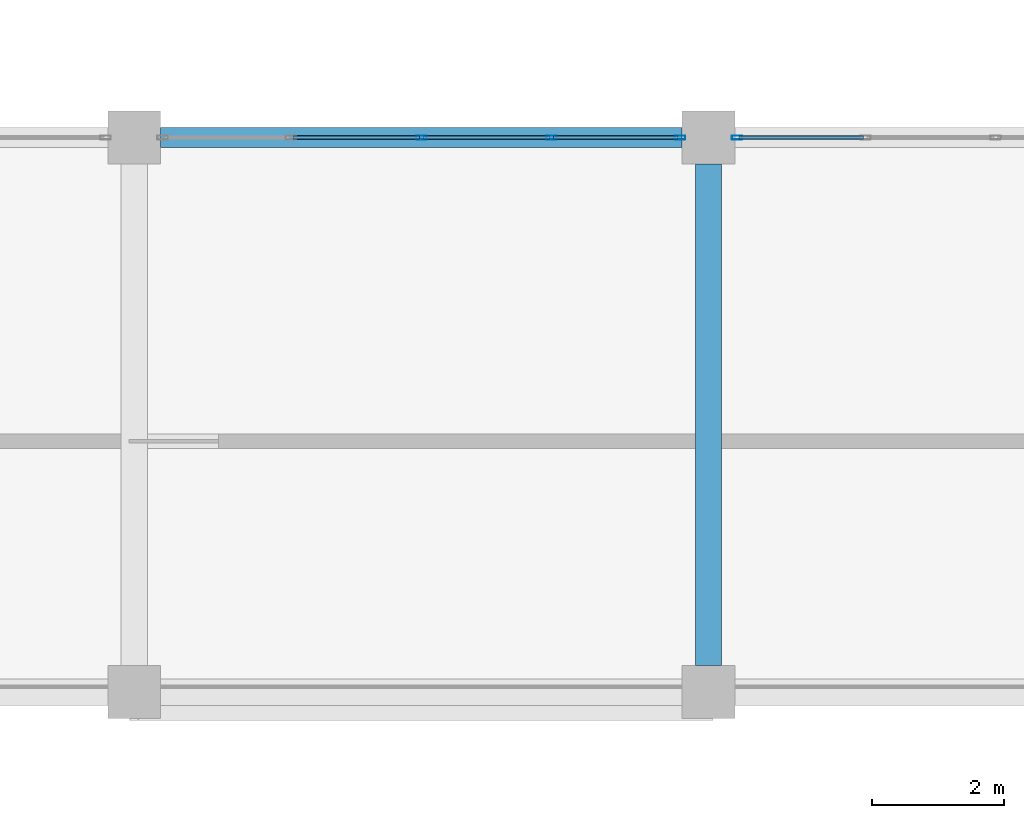
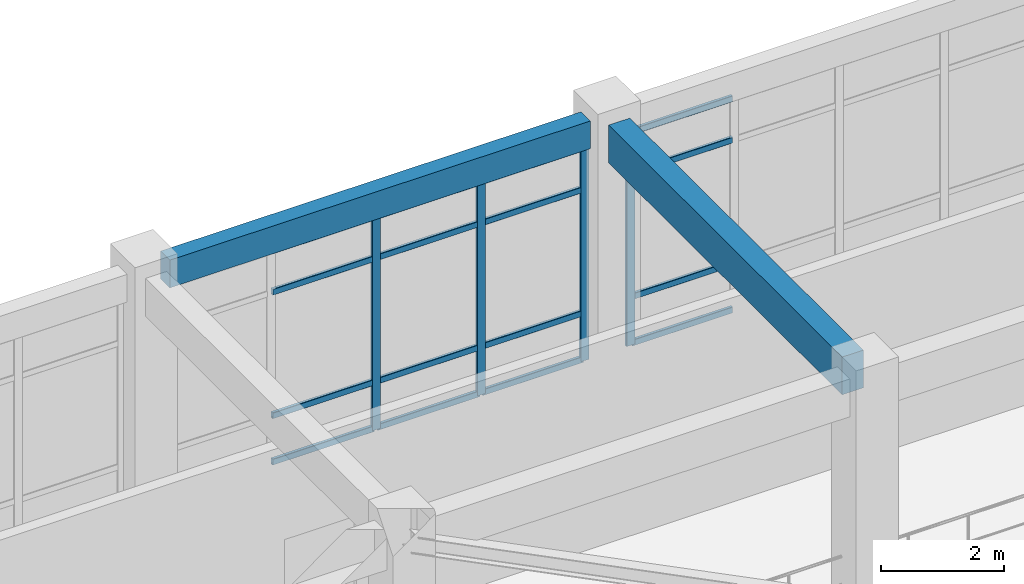
# One storey, part 48 of 96: 20 members, 2 beams, 2 elements without a shape of their own.
"""IFC4 building model written with IfcOpenShell, lengths in metres."""

from ifc_helpers import new_model, si_unit, derived_unit, direction, frame, origin, origin_2d, place, context, subcontext, project, spatial, rectangle, hollow_rectangle, extrude, material, layer, layer_set, material_profile, profile_set, type_object, element, aggregate, save


model = new_model("IFC4")

# Units and contexts
model_context = context("Model", 3, precision=1e-05, world=origin(), true_north=direction((0.0, 1.0)))
body_context = subcontext(model_context, "Body", "Model", "MODEL_VIEW")
ifc_project = project(units=[si_unit("LENGTHUNIT", "METRE"), si_unit("AREAUNIT", "SQUARE_METRE"), si_unit("VOLUMEUNIT", "CUBIC_METRE"), si_unit("PLANEANGLEUNIT", "RADIAN"), si_unit("MASSUNIT", "GRAM", prefix="KILO"), derived_unit("THERMALTRANSMITTANCEUNIT", [(si_unit("MASSUNIT", "GRAM", prefix="KILO"), 1), (si_unit("TIMEUNIT", "SECOND"), -3), (si_unit("THERMODYNAMICTEMPERATUREUNIT", "KELVIN"), -1)])], contexts=[model_context])

# Site, building, storey
site_placement = place(None, origin())
site = spatial("IfcSite", under=ifc_project, at=site_placement, CompositionType="ELEMENT")
building_placement = place(site_placement, origin())
building = spatial("IfcBuilding", under=site, at=building_placement, Name="Qinzheling Arcade Emporium", CompositionType="ELEMENT")
storey_placement = place(building_placement, frame((0.0, 0.0, 21.60009765625)))
storey = spatial("IfcBuildingStorey", under=building, at=storey_placement, Name="L05", CompositionType="ELEMENT", Elevation=21.60009765625)

# Curtain wall, members
ifc_material_1 = material(Name="Anodised aluminium and solar-control double glazing", Category="aluminium")
ifc_layer = layer(ifc_material_1, 0.159912109375, Name="Anodised aluminium and solar-control double glazing", Category="aluminium")
ifc_layer_set = layer_set([ifc_layer], Name="Anodised aluminium and solar-control double glazing")
curtain_wall_type = type_object("IfcCurtainWallType", Name="Atrium Clerestory Curtain Wall", PredefinedType="NOTDEFINED", material=ifc_layer_set)
curtain_wall_1_placement = place(storey_placement, origin())
curtain_wall_1 = element("IfcCurtainWall", 1, at=curtain_wall_1_placement, inside=storey, type_object=curtain_wall_type, Name="Curtain Wall CW-L05-322", PredefinedType="NOTDEFINED")
ifc_material_2 = material(Name="Anodised aluminium 6063-T6", Category="aluminium")
ifc_material_profile_1 = material_profile(ifc_material_2, hollow_rectangle(XDim=0.06005859375, YDim=0.159912109375, WallThickness=0.00390625, InnerFilletRadius=0.00390625, OuterFilletRadius=0.008056640625, at=origin_2d()), Name="RHS 160x60x4", Category="aluminium")
ifc_profile_set_1 = profile_set([ifc_material_profile_1], Name="Anodised aluminium 6063-T6")
member_type_1 = type_object("IfcMemberType", Name="Curtain Wall Mullion RHS160x60", PredefinedType="MULLION", material=ifc_profile_set_1)
member_1_placement = place(storey_placement, frame((73.949951171875, 73.800048828125, 0.0), z_axis=(0.0, 0.0, 1.0), x_axis=(0.0, 1.0, 0.0)))
member_1 = element("IfcMember", 2, at=member_1_placement, type_object=member_type_1, Name="CW03 mullion 3", PredefinedType="MULLION", context=body_context, shape_type="SweptSolid", body=[
    extrude(hollow_rectangle(XDim=0.06005859375, YDim=0.159912109375, WallThickness=0.00390625, InnerFilletRadius=0.00390625, OuterFilletRadius=0.008056640625, at=origin_2d()), origin(), (0.0, 0.0, 1.0), 4.2548828125),
])
member_2_placement = place(storey_placement, frame((75.924072265625, 73.800048828125, 0.0), z_axis=(0.0, 0.0, 1.0), x_axis=(0.0, 1.0, 0.0)))
member_2 = element("IfcMember", 3, at=member_2_placement, type_object=member_type_1, Name="CW03 mullion 4", PredefinedType="MULLION", context=body_context, shape_type="SweptSolid", body=[
    extrude(hollow_rectangle(XDim=0.06005859375, YDim=0.159912109375, WallThickness=0.00390625, InnerFilletRadius=0.00390625, OuterFilletRadius=0.008056640625, at=origin_2d()), origin(), (0.0, 0.0, 1.0), 4.2548828125),
])
member_3_placement = place(storey_placement, frame((77.867919921875, 73.800048828125, 0.0), z_axis=(0.0, 0.0, 1.0), x_axis=(0.0, 1.0, 0.0)))
member_3 = element("IfcMember", 4, at=member_3_placement, type_object=member_type_1, Name="CW03 mullion 5", PredefinedType="MULLION", context=body_context, shape_type="SweptSolid", body=[
    extrude(hollow_rectangle(XDim=0.06005859375, YDim=0.159912109375, WallThickness=0.00390625, InnerFilletRadius=0.00390625, OuterFilletRadius=0.008056640625, at=origin_2d()), origin(), (0.0, 0.0, 1.0), 4.2548828125),
])

# Curtain wall, member
curtain_wall_2_placement = place(storey_placement, origin())
curtain_wall_2 = element("IfcCurtainWall", 5, at=curtain_wall_2_placement, inside=storey, type_object=curtain_wall_type, Name="Curtain Wall CW-L05-323", PredefinedType="NOTDEFINED")
member_4_placement = place(storey_placement, frame((78.73193359375, 73.800048828125, 0.0), z_axis=(0.0, 0.0, 1.0), x_axis=(0.0, 1.0, 0.0)))
member_4 = element("IfcMember", 6, at=member_4_placement, type_object=member_type_1, Name="CW03 mullion 1", PredefinedType="MULLION", context=body_context, shape_type="SweptSolid", body=[
    extrude(hollow_rectangle(XDim=0.06005859375, YDim=0.159912109375, WallThickness=0.00390625, InnerFilletRadius=0.00390625, OuterFilletRadius=0.008056640625, at=origin_2d()), origin(), (0.0, 0.0, 1.0), 4.2548828125),
])

# Member
ifc_material_profile_2 = material_profile(ifc_material_2, hollow_rectangle(XDim=0.06005859375, YDim=0.1201171875, WallThickness=0.00390625, InnerFilletRadius=0.00390625, OuterFilletRadius=0.008056640625, at=origin_2d()), Name="RHS 120x60x4", Category="aluminium")
ifc_profile_set_2 = profile_set([ifc_material_profile_2], Name="Anodised aluminium 6063-T6")
member_type_2 = type_object("IfcMemberType", Name="Curtain Wall Transom RHS120x60", PredefinedType="USERDEFINED", material=ifc_profile_set_2)
member_5_placement = place(storey_placement, frame((72.006103515625, 73.800048828125, 0.02978515625), z_axis=(1.0, 0.0, 0.0), x_axis=(0.0, 1.0, 0.0)))
member_5 = element("IfcMember", 7, at=member_5_placement, type_object=member_type_2, Name="CW03 transom 2.1", ObjectType="TRANSOM", PredefinedType="USERDEFINED", context=body_context, shape_type="SweptSolid", body=[
    extrude(hollow_rectangle(XDim=0.06005859375, YDim=0.1201171875, WallThickness=0.00390625, InnerFilletRadius=0.00390625, OuterFilletRadius=0.008056640625, at=origin_2d()), origin(), (0.0, 0.0, 1.0), 1.913818359375),
])

member_6_placement = place(storey_placement, frame((72.006103515625, 73.800048828125, 0.949951171875), z_axis=(1.0, 0.0, 0.0), x_axis=(0.0, 1.0, 0.0)))
member_6 = element("IfcMember", 8, at=member_6_placement, type_object=member_type_2, Name="CW03 transom 2.2", ObjectType="TRANSOM", PredefinedType="USERDEFINED", context=body_context, shape_type="SweptSolid", body=[
    extrude(hollow_rectangle(XDim=0.06005859375, YDim=0.1201171875, WallThickness=0.00390625, InnerFilletRadius=0.00390625, OuterFilletRadius=0.008056640625, at=origin_2d()), origin(), (0.0, 0.0, 1.0), 1.913818359375),
])

member_7_placement = place(storey_placement, frame((72.006103515625, 73.800048828125, 3.40478515625), z_axis=(1.0, 0.0, 0.0), x_axis=(0.0, 1.0, 0.0)))
member_7 = element("IfcMember", 9, at=member_7_placement, type_object=member_type_2, Name="CW03 transom 2.3", ObjectType="TRANSOM", PredefinedType="USERDEFINED", context=body_context, shape_type="SweptSolid", body=[
    extrude(hollow_rectangle(XDim=0.06005859375, YDim=0.1201171875, WallThickness=0.00390625, InnerFilletRadius=0.00390625, OuterFilletRadius=0.008056640625, at=origin_2d()), origin(), (0.0, 0.0, 1.0), 1.913818359375),
])

member_8_placement = place(storey_placement, frame((72.006103515625, 73.800048828125, 4.224853515625), z_axis=(1.0, 0.0, 0.0), x_axis=(0.0, 1.0, 0.0)))
member_8 = element("IfcMember", 10, at=member_8_placement, type_object=member_type_2, Name="CW03 transom 2.4", ObjectType="TRANSOM", PredefinedType="USERDEFINED", context=body_context, shape_type="SweptSolid", body=[
    extrude(hollow_rectangle(XDim=0.06005859375, YDim=0.1201171875, WallThickness=0.00390625, InnerFilletRadius=0.00390625, OuterFilletRadius=0.008056640625, at=origin_2d()), origin(), (0.0, 0.0, 1.0), 1.913818359375),
])

member_9_placement = place(storey_placement, frame((73.97998046875, 73.800048828125, 0.02978515625), z_axis=(1.0, 0.0, 0.0), x_axis=(0.0, 1.0, 0.0)))
member_9 = element("IfcMember", 11, at=member_9_placement, type_object=member_type_2, Name="CW03 transom 3.1", ObjectType="TRANSOM", PredefinedType="USERDEFINED", context=body_context, shape_type="SweptSolid", body=[
    extrude(hollow_rectangle(XDim=0.06005859375, YDim=0.1201171875, WallThickness=0.00390625, InnerFilletRadius=0.00390625, OuterFilletRadius=0.008056640625, at=origin_2d()), origin(), (0.0, 0.0, 1.0), 1.9140625),
])

member_10_placement = place(storey_placement, frame((73.97998046875, 73.800048828125, 0.949951171875), z_axis=(1.0, 0.0, 0.0), x_axis=(0.0, 1.0, 0.0)))
member_10 = element("IfcMember", 12, at=member_10_placement, type_object=member_type_2, Name="CW03 transom 3.2", ObjectType="TRANSOM", PredefinedType="USERDEFINED", context=body_context, shape_type="SweptSolid", body=[
    extrude(hollow_rectangle(XDim=0.06005859375, YDim=0.1201171875, WallThickness=0.00390625, InnerFilletRadius=0.00390625, OuterFilletRadius=0.008056640625, at=origin_2d()), origin(), (0.0, 0.0, 1.0), 1.9140625),
])

member_11_placement = place(storey_placement, frame((73.97998046875, 73.800048828125, 3.40478515625), z_axis=(1.0, 0.0, 0.0), x_axis=(0.0, 1.0, 0.0)))
member_11 = element("IfcMember", 13, at=member_11_placement, type_object=member_type_2, Name="CW03 transom 3.3", ObjectType="TRANSOM", PredefinedType="USERDEFINED", context=body_context, shape_type="SweptSolid", body=[
    extrude(hollow_rectangle(XDim=0.06005859375, YDim=0.1201171875, WallThickness=0.00390625, InnerFilletRadius=0.00390625, OuterFilletRadius=0.008056640625, at=origin_2d()), origin(), (0.0, 0.0, 1.0), 1.9140625),
])

member_12_placement = place(storey_placement, frame((73.97998046875, 73.800048828125, 4.224853515625), z_axis=(1.0, 0.0, 0.0), x_axis=(0.0, 1.0, 0.0)))
member_12 = element("IfcMember", 14, at=member_12_placement, type_object=member_type_2, Name="CW03 transom 3.4", ObjectType="TRANSOM", PredefinedType="USERDEFINED", context=body_context, shape_type="SweptSolid", body=[
    extrude(hollow_rectangle(XDim=0.06005859375, YDim=0.1201171875, WallThickness=0.00390625, InnerFilletRadius=0.00390625, OuterFilletRadius=0.008056640625, at=origin_2d()), origin(), (0.0, 0.0, 1.0), 1.9140625),
])

member_13_placement = place(storey_placement, frame((75.9541015625, 73.800048828125, 0.02978515625), z_axis=(1.0, 0.0, 0.0), x_axis=(0.0, 1.0, 0.0)))
member_13 = element("IfcMember", 15, at=member_13_placement, type_object=member_type_2, Name="CW03 transom 4.1", ObjectType="TRANSOM", PredefinedType="USERDEFINED", context=body_context, shape_type="SweptSolid", body=[
    extrude(hollow_rectangle(XDim=0.06005859375, YDim=0.1201171875, WallThickness=0.00390625, InnerFilletRadius=0.00390625, OuterFilletRadius=0.008056640625, at=origin_2d()), origin(), (0.0, 0.0, 1.0), 1.8837890625),
])

member_14_placement = place(storey_placement, frame((75.9541015625, 73.800048828125, 0.949951171875), z_axis=(1.0, 0.0, 0.0), x_axis=(0.0, 1.0, 0.0)))
member_14 = element("IfcMember", 16, at=member_14_placement, type_object=member_type_2, Name="CW03 transom 4.2", ObjectType="TRANSOM", PredefinedType="USERDEFINED", context=body_context, shape_type="SweptSolid", body=[
    extrude(hollow_rectangle(XDim=0.06005859375, YDim=0.1201171875, WallThickness=0.00390625, InnerFilletRadius=0.00390625, OuterFilletRadius=0.008056640625, at=origin_2d()), origin(), (0.0, 0.0, 1.0), 1.8837890625),
])

member_15_placement = place(storey_placement, frame((75.9541015625, 73.800048828125, 3.40478515625), z_axis=(1.0, 0.0, 0.0), x_axis=(0.0, 1.0, 0.0)))
member_15 = element("IfcMember", 17, at=member_15_placement, type_object=member_type_2, Name="CW03 transom 4.3", ObjectType="TRANSOM", PredefinedType="USERDEFINED", context=body_context, shape_type="SweptSolid", body=[
    extrude(hollow_rectangle(XDim=0.06005859375, YDim=0.1201171875, WallThickness=0.00390625, InnerFilletRadius=0.00390625, OuterFilletRadius=0.008056640625, at=origin_2d()), origin(), (0.0, 0.0, 1.0), 1.8837890625),
])

member_16_placement = place(storey_placement, frame((75.9541015625, 73.800048828125, 4.224853515625), z_axis=(1.0, 0.0, 0.0), x_axis=(0.0, 1.0, 0.0)))
member_16 = element("IfcMember", 18, at=member_16_placement, type_object=member_type_2, Name="CW03 transom 4.4", ObjectType="TRANSOM", PredefinedType="USERDEFINED", context=body_context, shape_type="SweptSolid", body=[
    extrude(hollow_rectangle(XDim=0.06005859375, YDim=0.1201171875, WallThickness=0.00390625, InnerFilletRadius=0.00390625, OuterFilletRadius=0.008056640625, at=origin_2d()), origin(), (0.0, 0.0, 1.0), 1.8837890625),
])

aggregate(curtain_wall_1, [member_1, member_2, member_3, member_5, member_6, member_7, member_8, member_9, member_10, member_11, member_12, member_13, member_14, member_15, member_16])

member_17_placement = place(storey_placement, frame((78.761962890625, 73.800048828125, 0.02978515625), z_axis=(1.0, 0.0, 0.0), x_axis=(0.0, 1.0, 0.0)))
member_17 = element("IfcMember", 19, at=member_17_placement, type_object=member_type_2, Name="CW03 transom 1.1", ObjectType="TRANSOM", PredefinedType="USERDEFINED", context=body_context, shape_type="SweptSolid", body=[
    extrude(hollow_rectangle(XDim=0.06005859375, YDim=0.1201171875, WallThickness=0.00390625, InnerFilletRadius=0.00390625, OuterFilletRadius=0.008056640625, at=origin_2d()), origin(), (0.0, 0.0, 1.0), 1.884033203125),
])

member_18_placement = place(storey_placement, frame((78.761962890625, 73.800048828125, 0.949951171875), z_axis=(1.0, 0.0, 0.0), x_axis=(0.0, 1.0, 0.0)))
member_18 = element("IfcMember", 20, at=member_18_placement, type_object=member_type_2, Name="CW03 transom 1.2", ObjectType="TRANSOM", PredefinedType="USERDEFINED", context=body_context, shape_type="SweptSolid", body=[
    extrude(hollow_rectangle(XDim=0.06005859375, YDim=0.1201171875, WallThickness=0.00390625, InnerFilletRadius=0.00390625, OuterFilletRadius=0.008056640625, at=origin_2d()), origin(), (0.0, 0.0, 1.0), 1.884033203125),
])

member_19_placement = place(storey_placement, frame((78.761962890625, 73.800048828125, 3.40478515625), z_axis=(1.0, 0.0, 0.0), x_axis=(0.0, 1.0, 0.0)))
member_19 = element("IfcMember", 21, at=member_19_placement, type_object=member_type_2, Name="CW03 transom 1.3", ObjectType="TRANSOM", PredefinedType="USERDEFINED", context=body_context, shape_type="SweptSolid", body=[
    extrude(hollow_rectangle(XDim=0.06005859375, YDim=0.1201171875, WallThickness=0.00390625, InnerFilletRadius=0.00390625, OuterFilletRadius=0.008056640625, at=origin_2d()), origin(), (0.0, 0.0, 1.0), 1.884033203125),
])

member_20_placement = place(storey_placement, frame((78.761962890625, 73.800048828125, 4.224853515625), z_axis=(1.0, 0.0, 0.0), x_axis=(0.0, 1.0, 0.0)))
member_20 = element("IfcMember", 22, at=member_20_placement, type_object=member_type_2, Name="CW03 transom 1.4", ObjectType="TRANSOM", PredefinedType="USERDEFINED", context=body_context, shape_type="SweptSolid", body=[
    extrude(hollow_rectangle(XDim=0.06005859375, YDim=0.1201171875, WallThickness=0.00390625, InnerFilletRadius=0.00390625, OuterFilletRadius=0.008056640625, at=origin_2d()), origin(), (0.0, 0.0, 1.0), 1.884033203125),
])

aggregate(curtain_wall_2, [member_4, member_17, member_18, member_19, member_20])

# Beams
ifc_material_3 = material(Name="Concrete C40", Category="concrete")
ifc_material_profile_3 = material_profile(ifc_material_3, rectangle(XDim=0.39990234375, YDim=0.75, at=origin_2d()), Name="RC 400x750", Category="concrete")
ifc_profile_set_3 = profile_set([ifc_material_profile_3], Name="Concrete C40")
beam_type_1 = type_object("IfcBeamType", Name="RC Interior Tie Beam 400x750 C40", PredefinedType="BEAM", material=ifc_profile_set_3)
beam_1_placement = place(storey_placement, frame((78.300048828125, 65.800048828125, 4.44482421875), z_axis=(0.0, 1.0, 0.0), x_axis=(-1.0, 0.0, 0.0)))
element("IfcBeam", 23, at=beam_1_placement, inside=storey, type_object=beam_type_1, Name="Beam BM-L05-Y-10-H", PredefinedType="BEAM", context=body_context, shape_type="SweptSolid", body=[
    extrude(rectangle(XDim=0.39990234375, YDim=0.75, at=origin_2d()), origin(), (0.0, 0.0, 1.0), 7.599853515625),
])
ifc_material_profile_4 = material_profile(ifc_material_3, rectangle(XDim=0.300048828125, YDim=0.550048828125, at=origin_2d()), Name="RC 300x550", Category="concrete")
ifc_profile_set_4 = profile_set([ifc_material_profile_4], Name="Concrete C40")
beam_type_2 = type_object("IfcBeamType", Name="RC Terrace Spandrel Beam 300x550 C40", PredefinedType="SPANDREL", material=ifc_profile_set_4)
beam_2_placement = place(storey_placement, frame((70.0, 73.800048828125, 4.544921875), z_axis=(1.0, 0.0, 0.0), x_axis=(0.0, 1.0, 0.0)))
element("IfcBeam", 24, at=beam_2_placement, inside=storey, type_object=beam_type_2, Name="Beam BM-L05-X-J-9", PredefinedType="SPANDREL", context=body_context, shape_type="SweptSolid", body=[
    extrude(rectangle(XDim=0.300048828125, YDim=0.550048828125, at=origin_2d()), origin(), (0.0, 0.0, 1.0), 7.89990234375),
])

save(model, "model.ifc")
